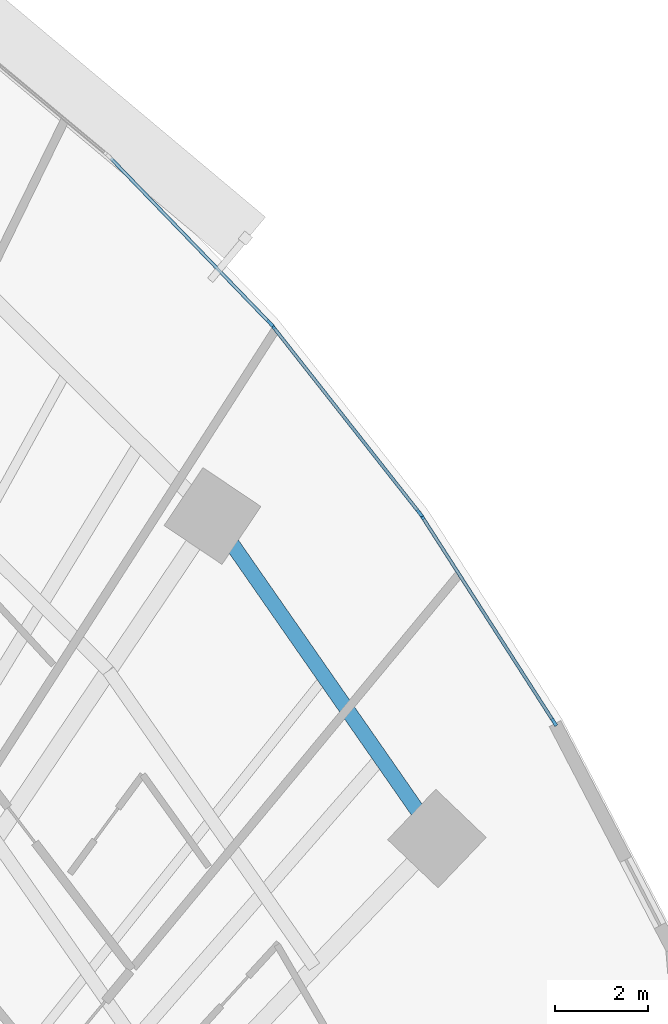
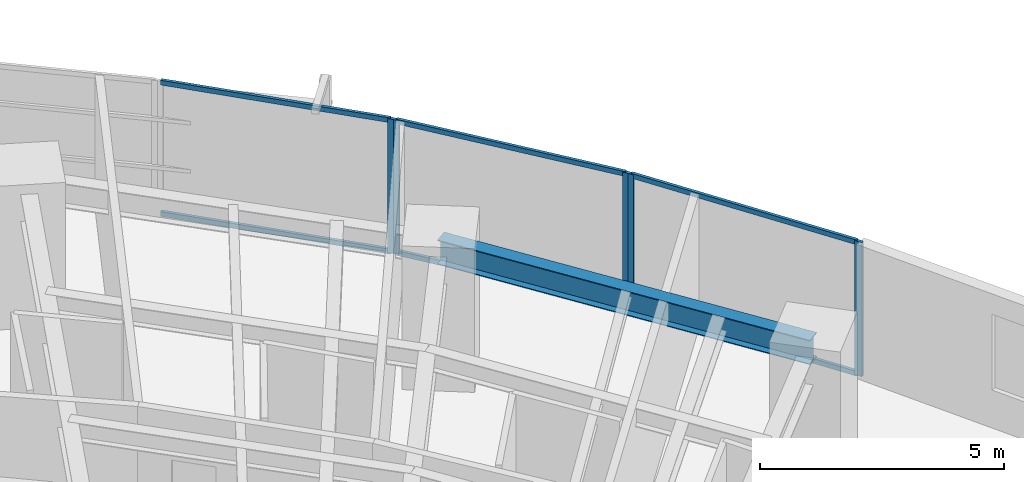
# One storey, part 8 of 17: 11 members, 1 beam, 3 elements without a shape of their own.
"""IFC4 building model written with IfcOpenShell, lengths in metres."""

from ifc_helpers import new_model, si_unit, direction, frame, origin, origin_2d, place, context, subcontext, project, spatial, rectangle, i_section, extrude, source, transform, mapped, material, layer, layer_set, material_profile, profile_set, type_object, type_shapes, element, aggregate, save


model = new_model("IFC4")

# Units and contexts
model_context = context("Model", 3, precision=1e-05, world=origin(), true_north=direction((0.0, 1.0)))
body_context = subcontext(model_context, "Body", "Model", "MODEL_VIEW")
ifc_project = project(units=[si_unit("LENGTHUNIT", "METRE"), si_unit("AREAUNIT", "SQUARE_METRE"), si_unit("VOLUMEUNIT", "CUBIC_METRE"), si_unit("PLANEANGLEUNIT", "RADIAN"), si_unit("MASSUNIT", "GRAM", prefix="KILO")], contexts=[model_context])

# Site, building, storey
site_placement = place(None, origin())
site = spatial("IfcSite", under=ifc_project, at=site_placement, CompositionType="ELEMENT")
building_placement = place(site_placement, origin())
building = spatial("IfcBuilding", under=site, at=building_placement, Name="Breltana Convention Tower", CompositionType="ELEMENT")
storey_placement = place(building_placement, frame((0.0, 0.0, 64.199951171875)))
storey = spatial("IfcBuildingStorey", under=building, at=storey_placement, Name="L14", CompositionType="ELEMENT", Elevation=64.199951171875)

# Beam
ifc_material_1 = material(Name="Steel ASTM A992 Grade 50", Category="steel")
ifc_material_profile_1 = material_profile(ifc_material_1, i_section(OverallWidth=0.323974609375, OverallDepth=0.611083984375, WebThickness=0.0126953125, FlangeThickness=0.01904296875, at=origin_2d()), Name="W24X104")
ifc_profile_set_1 = profile_set([ifc_material_profile_1], Name="Steel ASTM A992 Grade 50")
beam_type = type_object("IfcBeamType", Name="BM-SP-W24X104", PredefinedType="SPANDREL", material=ifc_profile_set_1)
shared_shape_1 = source(origin(), body_context, "Body", "SweptSolid", [
    extrude(i_section(OverallWidth=0.323974609375, OverallDepth=0.611083984375, WebThickness=0.0126953125, FlangeThickness=0.01904296875, at=origin_2d()), origin(), (0.0, 0.0, 1.0), 8.44970703125),
])
beam_placement = place(storey_placement, frame((75.166748046875, 62.43017578125, 3.054443359375), z_axis=(0.5711855381, -0.820820979913, 0.0), x_axis=(0.820820979913, 0.5711855381, 0.0)))
element("IfcBeam", 1, at=beam_placement, inside=storey, type_object=beam_type, Name="L14 Outer Spandrel Beam 10", PredefinedType="SPANDREL", context=body_context, shape_type="MappedRepresentation", body=[
    mapped(shared_shape_1, transform((0.0, 0.0, 0.0), scale=1.0)),
])

# Curtain wall, member
ifc_material_2 = material(Name="Aluminium Anodised Bronze Frame", Category="aluminium")
ifc_layer = layer(ifc_material_2, 0.199951171875, Name="Aluminium Anodised Bronze Frame")
ifc_layer_set = layer_set([ifc_layer], Name="Aluminium Anodised Bronze Frame")
curtain_wall_type = type_object("IfcCurtainWallType", Name="CW-SYS-2", PredefinedType="NOTDEFINED", material=ifc_layer_set)
curtain_wall_1_placement = place(storey_placement, origin())
curtain_wall_1 = element("IfcCurtainWall", 2, at=curtain_wall_1_placement, inside=storey, type_object=curtain_wall_type, Name="L14 outer double-skin inner glazing 16", PredefinedType="NOTDEFINED")
ifc_material_3 = material(Name="Aluminium Anodised Bronze", Category="aluminium")
ifc_material_profile_2 = material_profile(ifc_material_3, rectangle(XDim=0.070068359375, YDim=0.175048828125, at=origin_2d()), Name="CWM-70X175")
ifc_profile_set_2 = profile_set([ifc_material_profile_2], Name="Aluminium Anodised Bronze")
member_type_1 = type_object("IfcMemberType", Name="CWM-175", PredefinedType="MULLION", material=ifc_profile_set_2)
shared_shape_2 = source(origin(), body_context, "Body", "SweptSolid", [
    extrude(rectangle(XDim=0.070068359375, YDim=0.175048828125, at=origin_2d()), origin(), (0.0, 0.0, 1.0), 3.360107421875),
])
type_shapes(member_type_1, [shared_shape_2])
member_1_placement = place(storey_placement, frame((76.408935546875, 66.571533203125, 0.0), z_axis=(0.0, 0.0, 1.0), x_axis=(0.719386421003, 0.694610090106, 0.0)))
member_1 = element("IfcMember", 3, at=member_1_placement, type_object=member_type_1, Name="CW-02 mullion 2", PredefinedType="MULLION", context=body_context, shape_type="MappedRepresentation", body=[
    mapped(shared_shape_2, transform((0.0, 0.0, 0.0), scale=1.0)),
])

# Curtain wall, members
curtain_wall_2_placement = place(storey_placement, origin())
curtain_wall_2 = element("IfcCurtainWall", 4, at=curtain_wall_2_placement, inside=storey, type_object=curtain_wall_type, Name="L14 outer double-skin inner glazing 17", PredefinedType="NOTDEFINED")
member_2_placement = place(storey_placement, frame((76.454833984375, 66.518798828125, 0.0), z_axis=(0.0, 0.0, 1.0), x_axis=(0.786057080698, 0.618153917633, 0.0)))
member_2 = element("IfcMember", 5, at=member_2_placement, type_object=member_type_1, Name="CW-02 mullion 1", PredefinedType="MULLION", context=body_context, shape_type="MappedRepresentation", body=[
    mapped(shared_shape_2, transform((0.0, 0.0, 0.0), scale=1.0)),
])
member_3_placement = place(storey_placement, frame((79.62255859375, 62.49072265625, 0.0), z_axis=(0.0, 0.0, 1.0), x_axis=(0.786057080698, 0.618153917633, 0.0)))
member_3 = element("IfcMember", 6, at=member_3_placement, type_object=member_type_1, Name="CW-02 mullion 2", PredefinedType="MULLION", context=body_context, shape_type="MappedRepresentation", body=[
    mapped(shared_shape_2, transform((0.0, 0.0, 0.0), scale=1.0)),
])

curtain_wall_3_placement = place(storey_placement, origin())
curtain_wall_3 = element("IfcCurtainWall", 7, at=curtain_wall_3_placement, inside=storey, type_object=curtain_wall_type, Name="L14 outer double-skin inner glazing 18", PredefinedType="NOTDEFINED")
member_4_placement = place(storey_placement, frame((79.6630859375, 62.43359375, 0.0), z_axis=(0.0, 0.0, 1.0), x_axis=(0.841549039154, 0.540180724109, 0.0)))
member_4 = element("IfcMember", 8, at=member_4_placement, type_object=member_type_1, Name="CW-02 mullion 1", PredefinedType="MULLION", context=body_context, shape_type="MappedRepresentation", body=[
    mapped(shared_shape_2, transform((0.0, 0.0, 0.0), scale=1.0)),
])
member_5_placement = place(storey_placement, frame((82.512939453125, 57.993896484375, 0.0), z_axis=(0.0, 0.0, 1.0), x_axis=(0.841549039154, 0.540180724109, 0.0)))
member_5 = element("IfcMember", 9, at=member_5_placement, type_object=member_type_1, Name="CW-02 mullion 2", PredefinedType="MULLION", context=body_context, shape_type="MappedRepresentation", body=[
    mapped(shared_shape_2, transform((0.0, 0.0, 0.0), scale=1.0)),
])

# Member
ifc_material_profile_3 = material_profile(ifc_material_3, rectangle(XDim=0.070068359375, YDim=0.1201171875, at=origin_2d()), Name="CWT-70X120")
ifc_profile_set_3 = profile_set([ifc_material_profile_3], Name="Aluminium Anodised Bronze")
member_type_2 = type_object("IfcMemberType", Name="CWT-120", PredefinedType="USERDEFINED", material=ifc_profile_set_3)
shared_shape_3 = source(origin(), body_context, "Body", "SweptSolid", [
    extrude(rectangle(XDim=0.070068359375, YDim=0.1201171875, at=origin_2d()), origin(), (0.0, 0.0, 1.0), 5.0546875),
])
member_6_placement = place(storey_placement, frame((76.4765625, 66.491455078125, 0.03515625), z_axis=(0.618135067667, -0.786071903913, 0.0), x_axis=(0.786071903913, 0.618135067667, 0.0)))
member_6 = element("IfcMember", 10, at=member_6_placement, type_object=member_type_2, Name="CW-02 transom 1.1", ObjectType="TRANSOM", PredefinedType="USERDEFINED", context=body_context, shape_type="MappedRepresentation", body=[
    mapped(shared_shape_3, transform((0.0, 0.0, 0.0), scale=1.0)),
])

member_7_placement = place(storey_placement, frame((76.4765625, 66.491455078125, 3.324951171875), z_axis=(0.618135067667, -0.786071903913, 0.0), x_axis=(0.786071903913, 0.618135067667, 0.0)))
member_7 = element("IfcMember", 11, at=member_7_placement, type_object=member_type_2, Name="CW-02 transom 1.2", ObjectType="TRANSOM", PredefinedType="USERDEFINED", context=body_context, shape_type="MappedRepresentation", body=[
    mapped(shared_shape_3, transform((0.0, 0.0, 0.0), scale=1.0)),
])

aggregate(curtain_wall_2, [member_2, member_3, member_6, member_7])

shared_shape_4 = source(origin(), body_context, "Body", "SweptSolid", [
    extrude(rectangle(XDim=0.070068359375, YDim=0.1201171875, at=origin_2d()), origin(), (0.0, 0.0, 1.0), 4.901123046875),
])
member_8_placement = place(storey_placement, frame((72.980224609375, 70.12255859375, 0.03515625), z_axis=(0.6945945137, -0.719401460617, 0.0), x_axis=(0.719401460617, 0.6945945137, 0.0)))
member_8 = element("IfcMember", 12, at=member_8_placement, type_object=member_type_2, Name="CW-02 transom 1.1", ObjectType="TRANSOM", PredefinedType="USERDEFINED", context=body_context, shape_type="MappedRepresentation", body=[
    mapped(shared_shape_4, transform((0.0, 0.0, 0.0), scale=1.0)),
])

member_9_placement = place(storey_placement, frame((72.980224609375, 70.12255859375, 3.324951171875), z_axis=(0.6945945137, -0.719401460617, 0.0), x_axis=(0.719401460617, 0.6945945137, 0.0)))
member_9 = element("IfcMember", 13, at=member_9_placement, type_object=member_type_2, Name="CW-02 transom 1.2", ObjectType="TRANSOM", PredefinedType="USERDEFINED", context=body_context, shape_type="MappedRepresentation", body=[
    mapped(shared_shape_4, transform((0.0, 0.0, 0.0), scale=1.0)),
])

aggregate(curtain_wall_1, [member_1, member_8, member_9])

shared_shape_5 = source(origin(), body_context, "Body", "SweptSolid", [
    extrude(rectangle(XDim=0.070068359375, YDim=0.1201171875, at=origin_2d()), origin(), (0.0, 0.0, 1.0), 5.205810546875),
])
member_10_placement = place(storey_placement, frame((79.68212890625, 62.404296875, 0.03515625), z_axis=(0.540179102764, -0.841550079875, 0.0), x_axis=(0.841550079875, 0.540179102764, 0.0)))
member_10 = element("IfcMember", 14, at=member_10_placement, type_object=member_type_2, Name="CW-02 transom 1.1", ObjectType="TRANSOM", PredefinedType="USERDEFINED", context=body_context, shape_type="MappedRepresentation", body=[
    mapped(shared_shape_5, transform((0.0, 0.0, 0.0), scale=1.0)),
])

member_11_placement = place(storey_placement, frame((79.68212890625, 62.404296875, 3.324951171875), z_axis=(0.540179102764, -0.841550079875, 0.0), x_axis=(0.841550079875, 0.540179102764, 0.0)))
member_11 = element("IfcMember", 15, at=member_11_placement, type_object=member_type_2, Name="CW-02 transom 1.2", ObjectType="TRANSOM", PredefinedType="USERDEFINED", context=body_context, shape_type="MappedRepresentation", body=[
    mapped(shared_shape_5, transform((0.0, 0.0, 0.0), scale=1.0)),
])

aggregate(curtain_wall_3, [member_4, member_5, member_10, member_11])

save(model, "model.ifc")
